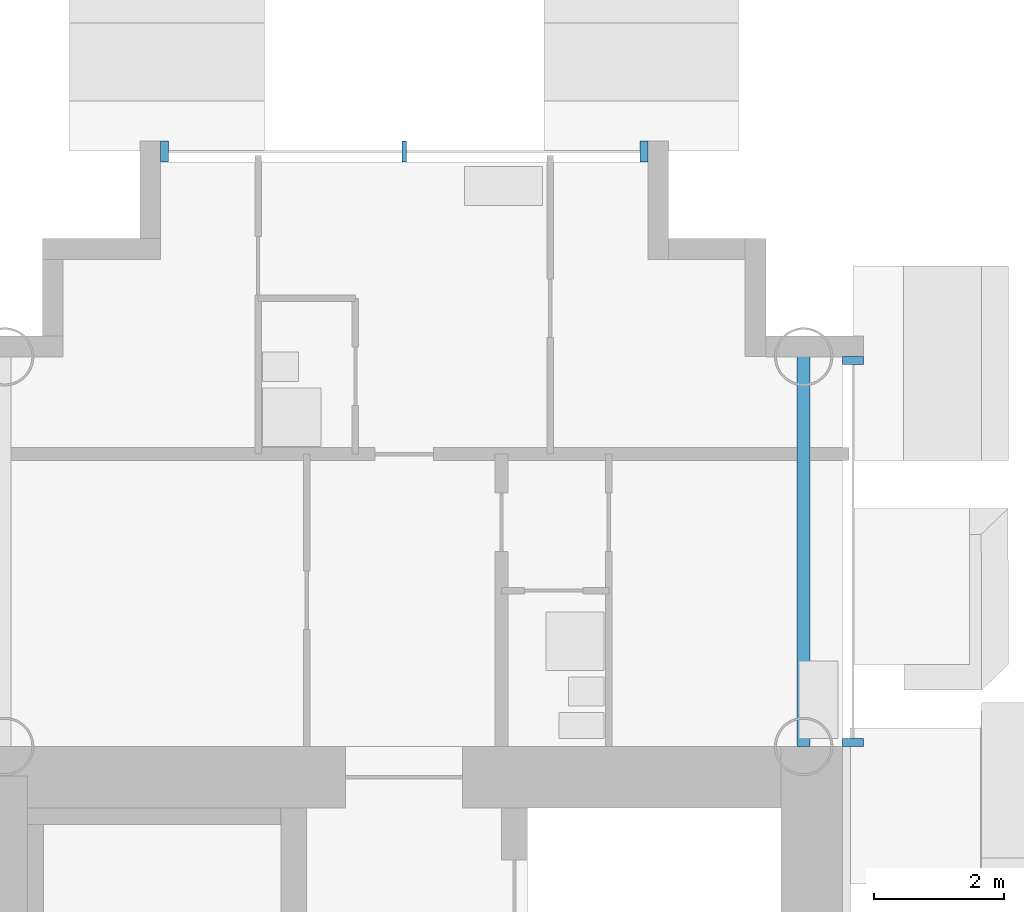
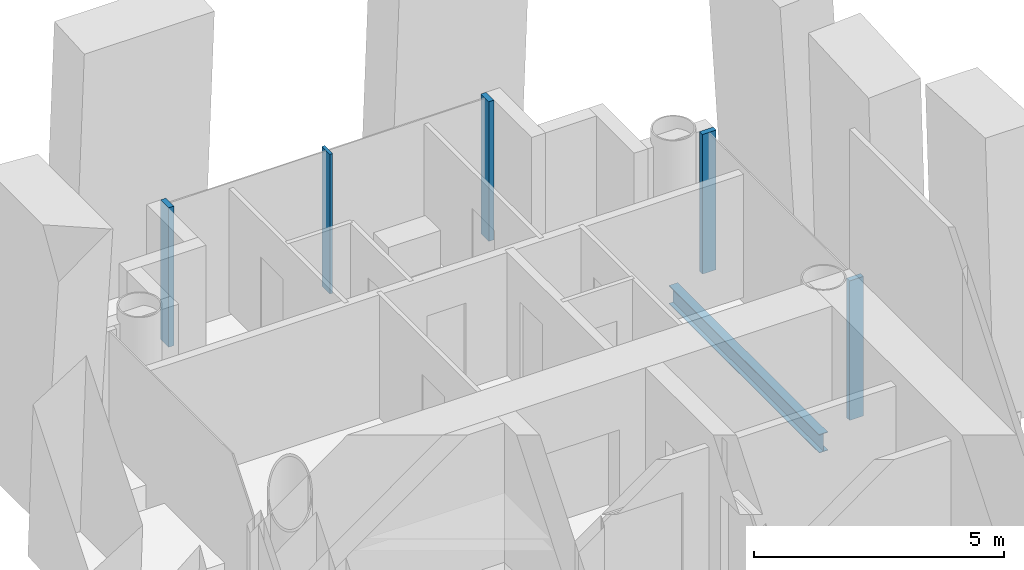
# One storey, part 6 of 21: 5 members, 1 beam, 2 elements without a shape of their own.
"""IFC4 building model written with IfcOpenShell, lengths in metres."""

import ifcopenshell
import ifcopenshell.guid

model = None  # the IFC model being written
_history = None  # IfcOwnerHistory: only IFC2X3 demands one
_inside = {}  # id of a spatial element -> (the spatial element, [elements in it])
_under = {}  # id of a project, library or spatial element -> (it, [spatial elements below it])
_declared = {}  # id of a project -> (the project, [libraries it declares])
_typed = {}  # id of a type object -> (the type object, [elements of that type])
_made_of = {}  # id of a material, layer set ... -> (it, [elements and type objects made of it])


def new_model(schema):
    """Start an empty IFC model of exactly this schema.

    Asked for "IFC4X3", IfcOpenShell would pick the latest addendum, in which some entities
    have other attributes; the version numbers below select the first issue.
    IFC2X3 requires an IfcOwnerHistory on every rooted entity: one is made here for all.
    """
    global model, _history
    if schema == "IFC4X3":
        model = ifcopenshell.file(schema_version=(4, 3, 0, 0))
    else:
        model = ifcopenshell.file(schema=schema)
    _inside.clear()
    _under.clear()
    _declared.clear()
    _typed.clear()
    _made_of.clear()
    _history = None
    if model.schema == "IFC2X3":
        org = make("IfcOrganization", Name="unknown")
        user = make(
            "IfcPersonAndOrganization",
            ThePerson=make("IfcPerson", FamilyName="unknown"),
            TheOrganization=org,
        )
        app = make(
            "IfcApplication",
            ApplicationDeveloper=org,
            Version="unknown",
            ApplicationFullName="unknown",
            ApplicationIdentifier="unknown",
        )
        _history = make(
            "IfcOwnerHistory",
            OwningUser=user,
            OwningApplication=app,
            ChangeAction="ADDED",
            CreationDate=0,
        )
    return model


def make(cls, **values):
    """One entity of the class cls with the attributes given. An attribute that is None is left unset."""
    return model.create_entity(
        cls, **{name: value for name, value in values.items() if value is not None}
    )


def rooted(cls, **values):
    """An entity with a GlobalId (a new one), such as an element, a storey or a relation."""
    return make(cls, GlobalId=ifcopenshell.guid.new(), OwnerHistory=_history, **values)


def si_unit(unit_type, name, prefix=None):
    """IfcSIUnit, for example si_unit("LENGTHUNIT", "METRE", prefix="MILLI")."""
    return make("IfcSIUnit", UnitType=unit_type, Prefix=prefix, Name=name)


def assignment(units):
    """IfcUnitAssignment: the units of a project."""
    return None if units is None else make("IfcUnitAssignment", Units=units)


def point(xyz):
    """IfcCartesianPoint."""
    return None if xyz is None else make("IfcCartesianPoint", Coordinates=xyz)


def direction(xyz):
    """IfcDirection."""
    return None if xyz is None else make("IfcDirection", DirectionRatios=xyz)


def frame(location, z_axis=None, x_axis=None):
    """IfcAxis2Placement3D, a coordinate frame: its origin and axes. An axis left out is left unset."""
    return make(
        "IfcAxis2Placement3D",
        Location=point(location),
        Axis=direction(z_axis),
        RefDirection=direction(x_axis),
    )


def frame_2d(location, x_axis=None):
    """IfcAxis2Placement2D, a coordinate frame in the plane: its origin and x axis."""
    return make(
        "IfcAxis2Placement2D", Location=point(location), RefDirection=direction(x_axis)
    )


def origin():
    """The frame at (0, 0, 0) with its axes left unset."""
    return frame((0.0, 0.0, 0.0))


def origin_2d():
    """The frame at (0, 0) in the plane with its x axis left unset."""
    return frame_2d((0.0, 0.0))


def place(relative_to, where):
    """IfcLocalPlacement: puts the frame where relative to a parent placement (None: the world)."""
    return make(
        "IfcLocalPlacement", PlacementRelTo=relative_to, RelativePlacement=where
    )


def context(
    kind, dimensions, precision=None, world=None, true_north=None, identifier=None
):
    """IfcGeometricRepresentationContext, for example the 3D "Model" context."""
    return make(
        "IfcGeometricRepresentationContext",
        ContextIdentifier=identifier,
        ContextType=kind,
        CoordinateSpaceDimension=dimensions,
        Precision=precision,
        WorldCoordinateSystem=world,
        TrueNorth=true_north,
    )


def subcontext(parent, identifier, kind, view, scale=None):
    """IfcGeometricRepresentationSubContext, for example "Body" below "Model"."""
    return make(
        "IfcGeometricRepresentationSubContext",
        ContextIdentifier=identifier,
        ContextType=kind,
        ParentContext=parent,
        TargetScale=scale,
        TargetView=view,
    )


def project(units=None, contexts=None):
    """IfcProject with its units and contexts."""
    return rooted(
        "IfcProject",
        Name="project",
        RepresentationContexts=contexts,
        UnitsInContext=assignment(units),
    )


def spatial(cls, under=None, at=None, **own):
    """A site, building, storey or space (cls), placed at a placement, below another one or the project."""
    s = rooted(cls, ObjectPlacement=at, **own)
    if under is not None:
        _under.setdefault(under.id(), (under, []))[1].append(s)
    return s


def profile(cls, at=None, kind="AREA", **sizes):
    """A parametric profile (cls). Its sizes go by their IFC names, for example OverallWidth=200.0."""
    return make(cls, ProfileType=kind, Position=at, **sizes)


def rectangle(**sizes):
    """IfcRectangleProfileDef."""
    return profile("IfcRectangleProfileDef", **sizes)


def i_section(**sizes):
    """IfcIShapeProfileDef."""
    return profile("IfcIShapeProfileDef", **sizes)


def extrude(swept, where, along, depth):
    """IfcExtrudedAreaSolid: the profile swept, set in the frame where, extruded along a direction by depth."""
    return make(
        "IfcExtrudedAreaSolid",
        SweptArea=swept,
        Position=where,
        ExtrudedDirection=direction(along),
        Depth=depth,
    )


def shape(context_of_items, identifier, shape_type, items):
    """IfcShapeRepresentation: the items that make up one representation, for example the "Body"."""
    return make(
        "IfcShapeRepresentation",
        ContextOfItems=context_of_items,
        RepresentationIdentifier=identifier,
        RepresentationType=shape_type,
        Items=items,
    )


def material(Name=None, Category=None):
    """IfcMaterial."""
    return make("IfcMaterial", Name=Name, Category=Category)


def layer(
    of_material, thickness, ventilated=None, Name=None, Category=None, Priority=None
):
    """IfcMaterialLayer: one layer of a wall or slab, of a material (None: an air gap)."""
    return make(
        "IfcMaterialLayer",
        Material=of_material,
        LayerThickness=thickness,
        IsVentilated=ventilated,
        Name=Name,
        Category=Category,
        Priority=Priority,
    )


def layer_set(layers, Name=None):
    """IfcMaterialLayerSet."""
    return make("IfcMaterialLayerSet", MaterialLayers=layers, LayerSetName=Name)


def material_profile(
    of_material, cross_section, Name=None, Category=None, Priority=None
):
    """IfcMaterialProfile: a cross section and its material."""
    return make(
        "IfcMaterialProfile",
        Name=Name,
        Material=of_material,
        Profile=cross_section,
        Priority=Priority,
        Category=Category,
    )


def profile_set(profiles, Name=None, composite=None):
    """IfcMaterialProfileSet."""
    return make(
        "IfcMaterialProfileSet",
        Name=Name,
        MaterialProfiles=profiles,
        CompositeProfile=composite,
    )


def made_of(thing, what):
    """Note that an element or type object is made of a material, layer set ...; save() writes the relation."""
    if what is not None:
        _made_of.setdefault(what.id(), (what, []))[1].append(thing)
    return thing


def type_object(cls, material=None, **own):
    """A type object (cls), such as IfcWallType, which elements share."""
    return made_of(rooted(cls, **own), material)


def element(
    cls,
    number,
    at=None,
    inside=None,
    cuts=None,
    type_object=None,
    material=None,
    context=None,
    identifier="Body",
    shape_type=None,
    held_by="IfcProductDefinitionShape",
    body=None,
    shapes=None,
    **own,
):
    """One element of the class cls, such as IfcWall. Its Tag is "e" and its number.

    at: its placement. inside: the storey or other place that contains it. cuts: it is an
    opening in that element (IfcRelVoidsElement). A single representation is given by context,
    identifier, shape_type and body (its items); several are given by shapes. held_by: the class
    of the entity that holds the representations. save() writes the other relations.
    """
    e = rooted(cls, Tag="e%d" % number, ObjectPlacement=at, **own)
    if body is not None:
        shapes = [shape(context, identifier, shape_type, body)]
    if shapes is not None:
        e.Representation = make(held_by, Representations=shapes)
    if inside is not None:
        _inside.setdefault(inside.id(), (inside, []))[1].append(e)
    if cuts is not None:
        rooted(
            "IfcRelVoidsElement", RelatingBuildingElement=cuts, RelatedOpeningElement=e
        )
    if type_object is not None:
        _typed.setdefault(type_object.id(), (type_object, []))[1].append(e)
    return made_of(e, material)


def aggregate(whole, parts):
    """IfcRelAggregates: a whole, such as a stair, and the parts it consists of."""
    return rooted("IfcRelAggregates", RelatingObject=whole, RelatedObjects=parts)


def save(model, path):
    """Write the relations noted so far, then the file.

    IfcRelAggregates (storeys below a building ...), IfcRelContainedInSpatialStructure (elements
    in a storey), IfcRelDefinesByType, IfcRelAssociatesMaterial and IfcRelDeclares: one each for
    every whole, place, type object, material and project.
    """
    for whole, parts in _under.values():
        aggregate(whole, parts)
    for where, things in _inside.values():
        rooted(
            "IfcRelContainedInSpatialStructure",
            RelatedElements=things,
            RelatingStructure=where,
        )
    for kind, things in _typed.values():
        rooted("IfcRelDefinesByType", RelatedObjects=things, RelatingType=kind)
    for what, things in _made_of.values():
        rooted("IfcRelAssociatesMaterial", RelatedObjects=things, RelatingMaterial=what)
    for by, libraries in _declared.values():
        rooted("IfcRelDeclares", RelatingContext=by, RelatedDefinitions=libraries)
    model.write(path)


model = new_model("IFC4")

# Units and contexts
model_context = context("Model", 3, precision=1e-05, world=origin(), true_north=direction((0.0, 1.0)))
body_context = subcontext(model_context, "Body", "Model", "MODEL_VIEW")
ifc_project = project(units=[si_unit("LENGTHUNIT", "METRE"), si_unit("AREAUNIT", "SQUARE_METRE"), si_unit("VOLUMEUNIT", "CUBIC_METRE"), si_unit("PLANEANGLEUNIT", "RADIAN"), si_unit("MASSUNIT", "GRAM", prefix="KILO")], contexts=[model_context])

# Site, building, storey
site_placement = place(None, origin())
site = spatial("IfcSite", under=ifc_project, at=site_placement, CompositionType="ELEMENT")
building_placement = place(site_placement, origin())
building = spatial("IfcBuilding", under=site, at=building_placement, Name="Ipe Terrace Towers", CompositionType="ELEMENT")
storey_placement = place(building_placement, frame((0.0, 0.0, 80.0)))
storey = spatial("IfcBuildingStorey", under=building, at=storey_placement, Name="L21", CompositionType="ELEMENT", Elevation=80.0)

# Beam
ifc_material_1 = material(Name="Steel S355", Category="steel")
ifc_material_profile_1 = material_profile(ifc_material_1, i_section(OverallWidth=0.199951171875, OverallDepth=0.449951171875, WebThickness=0.009033203125, FlangeThickness=0.013916015625, at=origin_2d()), Name="H-450x200x9x14")
ifc_profile_set_1 = profile_set([ifc_material_profile_1], Name="Steel S355")
beam_type = type_object("IfcBeamType", Name="H08 EDGE BEAM H-450x200x9x14", PredefinedType="BEAM", material=ifc_profile_set_1)
beam_placement = place(storey_placement, frame((42.14990234375, 15.75, -0.625), z_axis=(0.0, 1.0, 0.0), x_axis=(-1.0, 0.0, 0.0)))
element("IfcBeam", 1, at=beam_placement, inside=storey, type_object=beam_type, Name="Edge beam T2-EB-A01-A03", PredefinedType="BEAM", context=body_context, shape_type="SweptSolid", body=[
    extrude(i_section(OverallWidth=0.199951171875, OverallDepth=0.449951171875, WebThickness=0.009033203125, FlangeThickness=0.013916015625, at=origin_2d()), origin(), (0.0, 0.0, 1.0), 6.0),
])

# Curtain wall, members
ifc_material_2 = material(Name="Aluminium alloy 6063-T6", Category="aluminium")
ifc_layer = layer(ifc_material_2, 0.320068359375)
ifc_layer_set = layer_set([ifc_layer], Name="TOWER UNITISED CURTAIN WALL")
curtain_wall_type = type_object("IfcCurtainWallType", Name="TOWER UNITISED CURTAIN WALL", PredefinedType="NOTDEFINED", material=ifc_layer_set)
curtain_wall_1_placement = place(storey_placement, origin())
curtain_wall_1 = element("IfcCurtainWall", 2, at=curtain_wall_1_placement, inside=storey, type_object=curtain_wall_type, Name="T2-CW-L21-16b curtain wall", PredefinedType="NOTDEFINED")
ifc_material_3 = material(Name="Aluminium alloy 6063-T6", Category="aluminium")
ifc_material_profile_2 = material_profile(ifc_material_3, rectangle(XDim=0.320068359375, YDim=0.1201171875, at=origin_2d()), Name="TOWER UNITISED CORNER MULLION 320 x 120")
ifc_profile_set_2 = profile_set([ifc_material_profile_2], Name="Aluminium alloy 6063-T6")
member_type_1 = type_object("IfcMemberType", Name="TOWER UNITISED CORNER MULLION 320 x 120", PredefinedType="MULLION", material=ifc_profile_set_2)
member_1_placement = place(storey_placement, frame((42.909912109375, 15.81103515625, -0.300048828125), z_axis=(0.0, 0.0, 1.0), x_axis=(1.0, 0.0, 0.0)))
member_1 = element("IfcMember", 3, at=member_1_placement, type_object=member_type_1, Name="T2-CW-L21-16b mullion 1", PredefinedType="MULLION", context=body_context, shape_type="SweptSolid", body=[
    extrude(rectangle(XDim=0.320068359375, YDim=0.1201171875, at=origin_2d()), origin(), (0.0, 0.0, 1.0), 3.400146484375),
])
member_2_placement = place(storey_placement, frame((42.909912109375, 21.68994140625, -0.300048828125), z_axis=(0.0, 0.0, 1.0), x_axis=(1.0, 0.0, 0.0)))
member_2 = element("IfcMember", 4, at=member_2_placement, type_object=member_type_1, Name="T2-CW-L21-16b mullion 2", PredefinedType="MULLION", context=body_context, shape_type="SweptSolid", body=[
    extrude(rectangle(XDim=0.320068359375, YDim=0.1201171875, at=origin_2d()), origin(), (0.0, 0.0, 1.0), 3.400146484375),
])
aggregate(curtain_wall_1, [member_1, member_2])

curtain_wall_2_placement = place(storey_placement, origin())
curtain_wall_2 = element("IfcCurtainWall", 5, at=curtain_wall_2_placement, inside=storey, type_object=curtain_wall_type, Name="T2-CW-L21-21a curtain wall", PredefinedType="NOTDEFINED")
member_3_placement = place(storey_placement, frame((39.68994140625, 24.909912109375, -0.300048828125), z_axis=(0.0, 0.0, 1.0), x_axis=(0.0, 1.0, 0.0)))
member_3 = element("IfcMember", 6, at=member_3_placement, type_object=member_type_1, Name="T2-CW-L21-21a mullion 1", PredefinedType="MULLION", context=body_context, shape_type="SweptSolid", body=[
    extrude(rectangle(XDim=0.320068359375, YDim=0.1201171875, at=origin_2d()), origin(), (0.0, 0.0, 1.0), 3.400146484375),
])
member_4_placement = place(storey_placement, frame((32.31005859375, 24.909912109375, -0.300048828125), z_axis=(0.0, 0.0, 1.0), x_axis=(0.0, 1.0, 0.0)))
member_4 = element("IfcMember", 7, at=member_4_placement, type_object=member_type_1, Name="T2-CW-L21-21a mullion 3", PredefinedType="MULLION", context=body_context, shape_type="SweptSolid", body=[
    extrude(rectangle(XDim=0.320068359375, YDim=0.1201171875, at=origin_2d()), origin(), (0.0, 0.0, 1.0), 3.400146484375),
])
ifc_material_4 = material(Name="Aluminium alloy 6063-T6", Category="aluminium")
ifc_material_profile_3 = material_profile(ifc_material_4, rectangle(XDim=0.320068359375, YDim=0.06494140625, at=origin_2d()), Name="TOWER UNITISED MULLION 320 x 65")
ifc_profile_set_3 = profile_set([ifc_material_profile_3], Name="Aluminium alloy 6063-T6")
member_type_2 = type_object("IfcMemberType", Name="TOWER UNITISED MULLION 320 x 65", PredefinedType="MULLION", material=ifc_profile_set_3)
member_5_placement = place(storey_placement, frame((36.0, 24.909912109375, -0.300048828125), z_axis=(0.0, 0.0, 1.0), x_axis=(0.0, 1.0, 0.0)))
member_5 = element("IfcMember", 8, at=member_5_placement, type_object=member_type_2, Name="T2-CW-L21-21a mullion 2", PredefinedType="MULLION", context=body_context, shape_type="SweptSolid", body=[
    extrude(rectangle(XDim=0.320068359375, YDim=0.06494140625, at=origin_2d()), origin(), (0.0, 0.0, 1.0), 3.400146484375),
])
aggregate(curtain_wall_2, [member_3, member_5, member_4])

save(model, "model.ifc")
